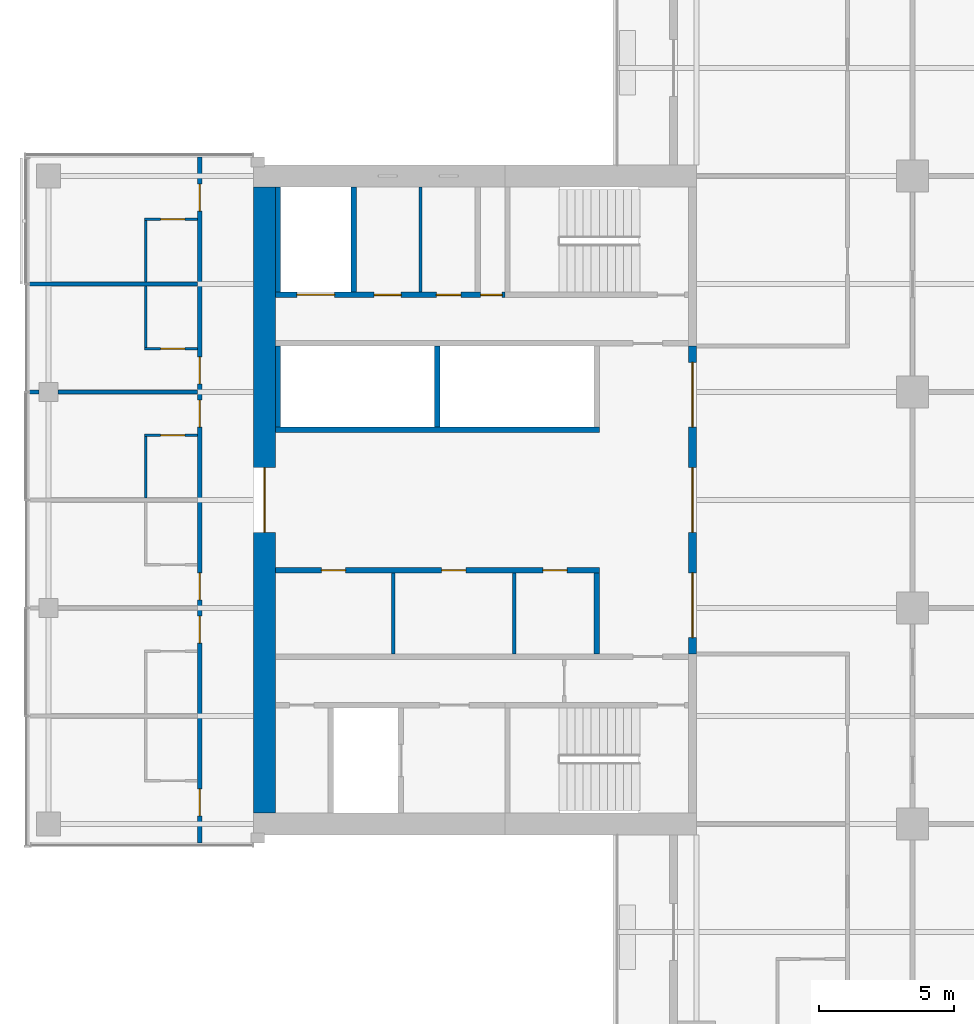
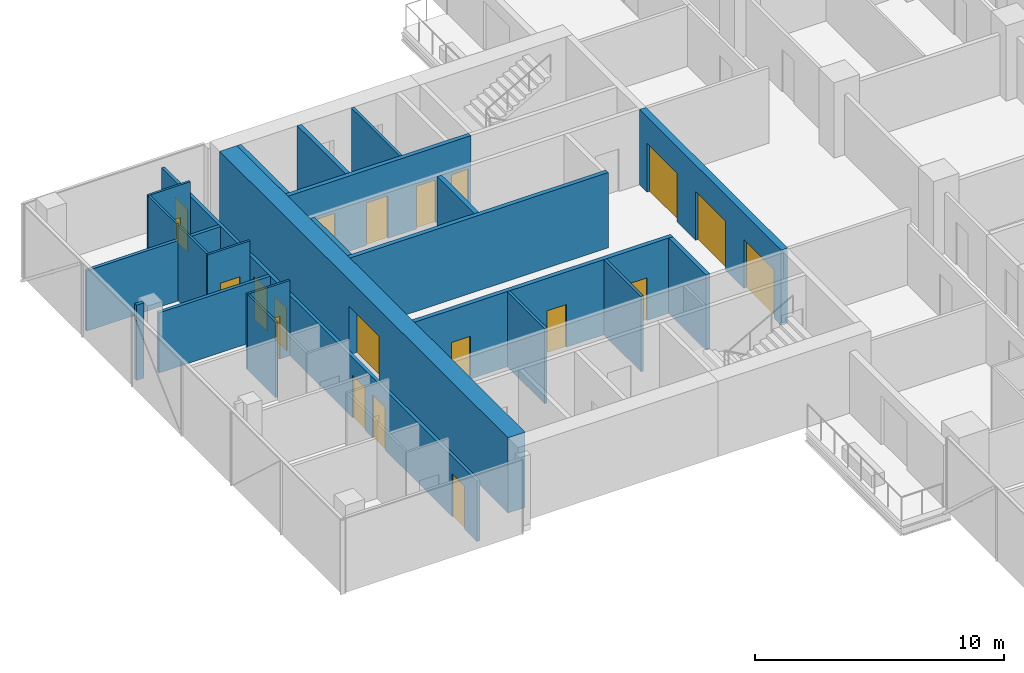
# One storey, part 18 of 27: 23 walls, 20 doors, 20 openings.
"""IFC4 building model written with IfcOpenShell, lengths in metres."""

from ifc_helpers import new_model, si_unit, direction, frame, frame_2d, origin, place, context, subcontext, project, spatial, rectangle, extrude, material, layer, layer_set, type_object, element, fill, save


model = new_model("IFC4")

# Units and contexts
model_context = context("Model", 3, precision=1e-05, world=origin(), true_north=direction((0.0, 1.0)))
body_context = subcontext(model_context, "Body", "Model", "MODEL_VIEW")
ifc_project = project(units=[si_unit("LENGTHUNIT", "METRE"), si_unit("AREAUNIT", "SQUARE_METRE"), si_unit("VOLUMEUNIT", "CUBIC_METRE"), si_unit("PLANEANGLEUNIT", "RADIAN"), si_unit("MASSUNIT", "GRAM", prefix="KILO")], contexts=[model_context])

# Site, building, storey
site_placement = place(None, origin())
site = spatial("IfcSite", under=ifc_project, at=site_placement, CompositionType="ELEMENT")
building_placement = place(site_placement, origin())
building = spatial("IfcBuilding", under=site, at=building_placement, Name="Crosswind Convention Tower", CompositionType="ELEMENT")
storey_placement = place(building_placement, frame((0.0, 0.0, 64.60009765625)))
storey = spatial("IfcBuildingStorey", under=building, at=storey_placement, Name="L10", CompositionType="ELEMENT", Elevation=64.60009765625)

# Wall, opening, door
ifc_material_1 = material(Name="Concrete C60/75", Category="concrete")
ifc_layer_1 = layer(ifc_material_1, 0.800048828125)
ifc_layer_set_1 = layer_set([ifc_layer_1], Name="Concrete C60/75")
wall_type_1 = type_object("IfcWallType", Name="Concrete core wall 800", PredefinedType="SHEAR", material=ifc_layer_set_1)
wall_1_placement = place(storey_placement, frame((97.0, 111.60009765625, 0.0), z_axis=(0.0, 0.0, 1.0), x_axis=(0.0, -1.0, 0.0)))
wall_1 = element("IfcWall", 1, at=wall_1_placement, inside=storey, type_object=wall_type_1, Name="Wall O W L10", PredefinedType="SHEAR", context=body_context, shape_type="SweptSolid", body=[
    extrude(rectangle(XDim=23.2001953125, YDim=0.800048828125, at=frame_2d((11.60009765625, 0.0))), origin(), (0.0, 0.0, 1.0), 3.699951171875),
])
opening_1_placement = place(wall_1_placement, frame((10.39990234375, 0.0, 0.0)))
opening_1 = element("IfcOpeningElement", 2, at=opening_1_placement, cuts=wall_1, Name="Opening D100", PredefinedType="OPENING", context=body_context, shape_type="SweptSolid", body=[
    extrude(rectangle(XDim=2.39990234375, YDim=2.39990234375, at=frame_2d((1.199951171875, 1.199951171875))), frame((0.0, 0.409912109375, 0.0), z_axis=(0.0, -1.0, 0.0), x_axis=(1.0, 0.0, 0.0)), (0.0, 0.0, 1.0), 0.820068359375),
])
ifc_material_2 = material(Name="Steel fire door with glazed vision panels", Category="steel")
door_type_1 = type_object("IfcDoorType", Name="Fire-rated double door 2400x2400", OperationType="DOUBLE_DOOR_SINGLE_SWING", PredefinedType="DOOR", material=ifc_material_2)
door_1_placement = place(opening_1_placement, origin())
door_1 = element("IfcDoor", 3, at=door_1_placement, inside=storey, type_object=door_type_1, Name="Lobby outer door L10", ObjectType="D100", OperationType="DOUBLE_DOOR_SINGLE_SWING", OverallHeight=2.39990234375, OverallWidth=2.39990234375, PredefinedType="DOOR", context=body_context, shape_type="SweptSolid", body=[
    extrude(rectangle(XDim=2.39990234375, YDim=2.39990234375, at=frame_2d((1.199951171875, 1.199951171875))), frame((0.0, 0.02490234375, 0.0), z_axis=(0.0, -1.0, 0.0), x_axis=(1.0, 0.0, 0.0)), (0.0, 0.0, 1.0), 0.050048828125),
])
fill(opening_1, door_1)

# Wall, openings, doors
ifc_material_3 = material(Name="Concrete C50/60", Category="concrete")
ifc_layer_2 = layer(ifc_material_3, 0.300048828125)
ifc_layer_set_2 = layer_set([ifc_layer_2], Name="Concrete C50/60")
wall_type_2 = type_object("IfcWallType", Name="Concrete inner core wall 300", PredefinedType="SHEAR", material=ifc_layer_set_2)
wall_2_placement = place(storey_placement, frame((112.85009765625, 105.699951171875, 0.0), z_axis=(0.0, 0.0, 1.0), x_axis=(0.0, -1.0, 0.0)))
wall_2 = element("IfcWall", 4, at=wall_2_placement, inside=storey, type_object=wall_type_2, Name="Wall SCR W L10", PredefinedType="SHEAR", context=body_context, shape_type="SweptSolid", body=[
    extrude(rectangle(XDim=11.39990234375, YDim=0.300048828125, at=frame_2d((5.699951171875, 0.0))), origin(), (0.0, 0.0, 1.0), 3.699951171875),
])
opening_2_placement = place(wall_2_placement, frame((0.60009765625, 0.0, 0.0)))
opening_2 = element("IfcOpeningElement", 5, at=opening_2_placement, cuts=wall_2, Name="Opening D100", PredefinedType="OPENING", context=body_context, shape_type="SweptSolid", body=[
    extrude(rectangle(XDim=2.39990234375, YDim=2.39990234375, at=frame_2d((1.199951171875, 1.199951171875))), frame((0.0, 0.159912109375, 0.0), z_axis=(0.0, -1.0, 0.0), x_axis=(1.0, 0.0, 0.0)), (0.0, 0.0, 1.0), 0.320068359375),
])
opening_3_placement = place(wall_2_placement, frame((4.5, 0.0, 0.0)))
opening_3 = element("IfcOpeningElement", 6, at=opening_3_placement, cuts=wall_2, Name="Opening D100", PredefinedType="OPENING", context=body_context, shape_type="SweptSolid", body=[
    extrude(rectangle(XDim=2.39990234375, YDim=2.39990234375, at=frame_2d((1.199951171875, 1.199951171875))), frame((0.0, 0.159912109375, 0.0), z_axis=(0.0, -1.0, 0.0), x_axis=(1.0, 0.0, 0.0)), (0.0, 0.0, 1.0), 0.320068359375),
])
opening_4_placement = place(wall_2_placement, frame((8.39990234375, 0.0, 0.0)))
opening_4 = element("IfcOpeningElement", 7, at=opening_4_placement, cuts=wall_2, Name="Opening D100", PredefinedType="OPENING", context=body_context, shape_type="SweptSolid", body=[
    extrude(rectangle(XDim=2.39990234375, YDim=2.39990234375, at=frame_2d((1.199951171875, 1.199951171875))), frame((0.0, 0.159912109375, 0.0), z_axis=(0.0, -1.0, 0.0), x_axis=(1.0, 0.0, 0.0)), (0.0, 0.0, 1.0), 0.320068359375),
])
door_2_placement = place(opening_2_placement, origin())
door_2 = element("IfcDoor", 8, at=door_2_placement, inside=storey, type_object=door_type_1, Name="Lobby door 1 L10", ObjectType="D100", OperationType="DOUBLE_DOOR_SINGLE_SWING", OverallHeight=2.39990234375, OverallWidth=2.39990234375, PredefinedType="DOOR", context=body_context, shape_type="SweptSolid", body=[
    extrude(rectangle(XDim=2.39990234375, YDim=2.39990234375, at=frame_2d((1.199951171875, 1.199951171875))), frame((0.0, 0.02490234375, 0.0), z_axis=(0.0, -1.0, 0.0), x_axis=(1.0, 0.0, 0.0)), (0.0, 0.0, 1.0), 0.050048828125),
])
fill(opening_2, door_2)
door_3_placement = place(opening_3_placement, origin())
door_3 = element("IfcDoor", 9, at=door_3_placement, inside=storey, type_object=door_type_1, Name="Lobby door 2 L10", ObjectType="D100", OperationType="DOUBLE_DOOR_SINGLE_SWING", OverallHeight=2.39990234375, OverallWidth=2.39990234375, PredefinedType="DOOR", context=body_context, shape_type="SweptSolid", body=[
    extrude(rectangle(XDim=2.39990234375, YDim=2.39990234375, at=frame_2d((1.199951171875, 1.199951171875))), frame((0.0, 0.02490234375, 0.0), z_axis=(0.0, -1.0, 0.0), x_axis=(1.0, 0.0, 0.0)), (0.0, 0.0, 1.0), 0.050048828125),
])
fill(opening_3, door_3)
door_4_placement = place(opening_4_placement, origin())
door_4 = element("IfcDoor", 10, at=door_4_placement, inside=storey, type_object=door_type_1, Name="Lobby door 3 L10", ObjectType="D100", OperationType="DOUBLE_DOOR_SINGLE_SWING", OverallHeight=2.39990234375, OverallWidth=2.39990234375, PredefinedType="DOOR", context=body_context, shape_type="SweptSolid", body=[
    extrude(rectangle(XDim=2.39990234375, YDim=2.39990234375, at=frame_2d((1.199951171875, 1.199951171875))), frame((0.0, 0.02490234375, 0.0), z_axis=(0.0, -1.0, 0.0), x_axis=(1.0, 0.0, 0.0)), (0.0, 0.0, 1.0), 0.050048828125),
])
fill(opening_4, door_4)

# Wall
ifc_layer_3 = layer(ifc_material_3, 0.199951171875)
ifc_layer_set_3 = layer_set([ifc_layer_3], Name="Concrete C50/60")
wall_type_3 = type_object("IfcWallType", Name="Concrete shaft and stair wall 200", PredefinedType="SHEAR", material=ifc_layer_set_3)
wall_3_placement = place(storey_placement, frame((109.300048828125, 97.300048828125, 0.0), z_axis=(0.0, 0.0, 1.0), x_axis=(0.0, -1.0, 0.0)))
element("IfcWall", 11, at=wall_3_placement, inside=storey, type_object=wall_type_3, Name="Wall RPEND W L10", PredefinedType="SHEAR", context=body_context, shape_type="SweptSolid", body=[
    extrude(rectangle(XDim=3.0, YDim=0.199951171875, at=frame_2d((1.5, 0.0))), origin(), (0.0, 0.0, 1.0), 3.699951171875),
])

# Wall, openings, doors
wall_4_placement = place(storey_placement, frame((109.39990234375, 97.39990234375, 0.0), z_axis=(0.0, 0.0, 1.0), x_axis=(-1.0, 0.0, 0.0)))
wall_4 = element("IfcWall", 12, at=wall_4_placement, inside=storey, type_object=wall_type_3, Name="Wall RPFRONT W L10", PredefinedType="SHEAR", context=body_context, shape_type="SweptSolid", body=[
    extrude(rectangle(XDim=12.0, YDim=0.199951171875, at=frame_2d((6.0, 0.0))), origin(), (0.0, 0.0, 1.0), 3.699951171875),
])
opening_5_placement = place(wall_4_placement, frame((1.19384765625, 0.0, 0.0)))
opening_5 = element("IfcOpeningElement", 13, at=opening_5_placement, cuts=wall_4, Name="Opening D106", PredefinedType="OPENING", context=body_context, shape_type="SweptSolid", body=[
    extrude(rectangle(XDim=0.89990234375, YDim=2.10009765625, at=frame_2d((0.449951171875, 1.050048828125))), frame((0.0, 0.10986328125, 0.0), z_axis=(0.0, -1.0, 0.0), x_axis=(1.0, 0.0, 0.0)), (0.0, 0.0, 1.0), 0.219970703125),
])
opening_6_placement = place(wall_4_placement, frame((4.94189453125, 0.0, 0.0)))
opening_6 = element("IfcOpeningElement", 14, at=opening_6_placement, cuts=wall_4, Name="Opening D106", PredefinedType="OPENING", context=body_context, shape_type="SweptSolid", body=[
    extrude(rectangle(XDim=0.89990234375, YDim=2.10009765625, at=frame_2d((0.449951171875, 1.050048828125))), frame((0.0, 0.10986328125, 0.0), z_axis=(0.0, -1.0, 0.0), x_axis=(1.0, 0.0, 0.0)), (0.0, 0.0, 1.0), 0.219970703125),
])
opening_7_placement = place(wall_4_placement, frame((9.398193359375, 0.0, 0.0)))
opening_7 = element("IfcOpeningElement", 15, at=opening_7_placement, cuts=wall_4, Name="Opening D106", PredefinedType="OPENING", context=body_context, shape_type="SweptSolid", body=[
    extrude(rectangle(XDim=0.89990234375, YDim=2.10009765625, at=frame_2d((0.449951171875, 1.050048828125))), frame((0.0, 0.10986328125, 0.0), z_axis=(0.0, -1.0, 0.0), x_axis=(1.0, 0.0, 0.0)), (0.0, 0.0, 1.0), 0.219970703125),
])
ifc_material_4 = material(Name="Timber door", Category="wood")
door_type_2 = type_object("IfcDoorType", Name="Single leaf door 900x2100", OperationType="NOTDEFINED", PredefinedType="DOOR", material=ifc_material_4)
door_5_placement = place(opening_5_placement, origin())
door_5 = element("IfcDoor", 16, at=door_5_placement, inside=storey, type_object=door_type_2, Name="Door to meeting room L10", ObjectType="D106", OperationType="SINGLE_SWING_RIGHT", OverallHeight=2.10009765625, OverallWidth=0.89990234375, PredefinedType="DOOR", context=body_context, shape_type="SweptSolid", body=[
    extrude(rectangle(XDim=0.89990234375, YDim=2.10009765625, at=frame_2d((0.449951171875, 1.050048828125))), frame((0.0, 0.02490234375, 0.0), z_axis=(0.0, -1.0, 0.0), x_axis=(1.0, 0.0, 0.0)), (0.0, 0.0, 1.0), 0.050048828125),
])
fill(opening_5, door_5)
door_6_placement = place(opening_6_placement, origin())
door_6 = element("IfcDoor", 17, at=door_6_placement, inside=storey, type_object=door_type_2, Name="Door to business centre L10", ObjectType="D106", OperationType="SINGLE_SWING_RIGHT", OverallHeight=2.10009765625, OverallWidth=0.89990234375, PredefinedType="DOOR", context=body_context, shape_type="SweptSolid", body=[
    extrude(rectangle(XDim=0.89990234375, YDim=2.10009765625, at=frame_2d((0.449951171875, 1.050048828125))), frame((0.0, 0.02490234375, 0.0), z_axis=(0.0, -1.0, 0.0), x_axis=(1.0, 0.0, 0.0)), (0.0, 0.0, 1.0), 0.050048828125),
])
fill(opening_6, door_6)
door_7_placement = place(opening_7_placement, origin())
door_7 = element("IfcDoor", 18, at=door_7_placement, inside=storey, type_object=door_type_2, Name="Door to ice and vending room L10", ObjectType="D106", OperationType="SINGLE_SWING_RIGHT", OverallHeight=2.10009765625, OverallWidth=0.89990234375, PredefinedType="DOOR", context=body_context, shape_type="SweptSolid", body=[
    extrude(rectangle(XDim=0.89990234375, YDim=2.10009765625, at=frame_2d((0.449951171875, 1.050048828125))), frame((0.0, 0.02490234375, 0.0), z_axis=(0.0, -1.0, 0.0), x_axis=(1.0, 0.0, 0.0)), (0.0, 0.0, 1.0), 0.050048828125),
])
fill(opening_7, door_7)

# Walls
for number, where, z_axis, x_axis, name in (
    (19, (103.39990234375, 105.699951171875, 0.0), (0.0, 0.0, 1.0), (0.0, -1.0, 0.0), "Wall RMSEP W L10"),
    (20, (97.5, 105.699951171875, 0.0), (0.0, 0.0, 1.0), (0.0, -1.0, 0.0), "Wall RMEAST W L10"),
):
    element("IfcWall", number, at=place(storey_placement, frame(where, z_axis=z_axis, x_axis=x_axis)), inside=storey, type_object=wall_type_3, Name=name, PredefinedType="SHEAR", context=body_context, shape_type="SweptSolid", body=[
        extrude(rectangle(XDim=3.0, YDim=0.199951171875, at=frame_2d((1.5, 0.0))), origin(), (0.0, 0.0, 1.0), 3.699951171875),
    ])
wall_5_placement = place(storey_placement, frame((109.39990234375, 102.60009765625, 0.0), z_axis=(0.0, 0.0, 1.0), x_axis=(-1.0, 0.0, 0.0)))
element("IfcWall", 21, at=wall_5_placement, inside=storey, type_object=wall_type_3, Name="Wall RMFRONT W L10", PredefinedType="SHEAR", context=body_context, shape_type="SweptSolid", body=[
    extrude(rectangle(XDim=12.0, YDim=0.199951171875, at=frame_2d((6.0, 0.0))), origin(), (0.0, 0.0, 1.0), 3.699951171875),
])
for number, where, z_axis, x_axis, name in (
    (22, (100.300048828125, 111.60009765625, 0.0), (0.0, 0.0, 1.0), (0.0, -1.0, 0.0), "Wall MFSW W L10"),
    (23, (97.5, 111.60009765625, 0.0), (0.0, 0.0, 1.0), (0.0, -1.0, 0.0), "Wall MFSE W L10"),
):
    element("IfcWall", number, at=place(storey_placement, frame(where, z_axis=z_axis, x_axis=x_axis)), inside=storey, type_object=wall_type_3, Name=name, PredefinedType="SHEAR", context=body_context, shape_type="SweptSolid", body=[
        extrude(rectangle(XDim=3.900146484375, YDim=0.199951171875, at=frame_2d((1.9501953125, 0.0))), origin(), (0.0, 0.0, 1.0), 3.699951171875),
    ])

# Wall, openings, doors
wall_6_placement = place(storey_placement, frame((105.89990234375, 107.60009765625, 0.0), z_axis=(0.0, 0.0, 1.0), x_axis=(-1.0, 0.0, 0.0)))
wall_6 = element("IfcWall", 24, at=wall_6_placement, inside=storey, type_object=wall_type_3, Name="Wall MCX W L10", PredefinedType="SHEAR", context=body_context, shape_type="SweptSolid", body=[
    extrude(rectangle(XDim=8.5, YDim=0.199951171875, at=frame_2d((4.25, 0.0))), origin(), (0.0, 0.0, 1.0), 3.699951171875),
])
opening_8_placement = place(wall_6_placement, frame((0.10009765625, 0.0, 0.0)))
opening_8 = element("IfcOpeningElement", 25, at=opening_8_placement, cuts=wall_6, Name="Opening D105", PredefinedType="OPENING", context=body_context, shape_type="SweptSolid", body=[
    extrude(rectangle(XDim=0.800048828125, YDim=2.10009765625, at=frame_2d((0.39990234375, 1.050048828125))), frame((0.0, 0.10986328125, 0.0), z_axis=(0.0, -1.0, 0.0), x_axis=(1.0, 0.0, 0.0)), (0.0, 0.0, 1.0), 0.219970703125),
])
opening_9_placement = place(wall_6_placement, frame((1.630859375, 0.0, 0.0)))
opening_9 = element("IfcOpeningElement", 26, at=opening_9_placement, cuts=wall_6, Name="Opening D106", PredefinedType="OPENING", context=body_context, shape_type="SweptSolid", body=[
    extrude(rectangle(XDim=0.89990234375, YDim=2.10009765625, at=frame_2d((0.449951171875, 1.050048828125))), frame((0.0, 0.10986328125, 0.0), z_axis=(0.0, -1.0, 0.0), x_axis=(1.0, 0.0, 0.0)), (0.0, 0.0, 1.0), 0.219970703125),
])
opening_10_placement = place(wall_6_placement, frame((3.84326171875, 0.0, 0.0)))
opening_10 = element("IfcOpeningElement", 27, at=opening_10_placement, cuts=wall_6, Name="Opening D103", PredefinedType="OPENING", context=body_context, shape_type="SweptSolid", body=[
    extrude(rectangle(XDim=1.0, YDim=2.10009765625, at=frame_2d((0.5, 1.050048828125))), frame((0.0, 0.10986328125, 0.0), z_axis=(0.0, -1.0, 0.0), x_axis=(1.0, 0.0, 0.0)), (0.0, 0.0, 1.0), 0.219970703125),
])
opening_11_placement = place(wall_6_placement, frame((6.300048828125, 0.0, 0.0)))
opening_11 = element("IfcOpeningElement", 28, at=opening_11_placement, cuts=wall_6, Name="Opening LD2", PredefinedType="OPENING", context=body_context, shape_type="SweptSolid", body=[
    extrude(rectangle(XDim=1.39990234375, YDim=2.10009765625, at=frame_2d((0.699951171875, 1.050048828125))), frame((0.0, 0.10986328125, 0.0), z_axis=(0.0, -1.0, 0.0), x_axis=(1.0, 0.0, 0.0)), (0.0, 0.0, 1.0), 0.219970703125),
])
ifc_material_5 = material(Name="Steel fire door", Category="steel")
door_type_3 = type_object("IfcDoorType", Name="Fire-rated single door 1000x2100", OperationType="NOTDEFINED", PredefinedType="DOOR", material=ifc_material_5)
door_8_placement = place(opening_10_placement, frame((1.0, 0.0, 0.0), z_axis=(0.0, 0.0, 1.0), x_axis=(-1.0, 0.0, 0.0)))
door_8 = element("IfcDoor", 29, at=door_8_placement, inside=storey, type_object=door_type_3, Name="Door to accessible wc L10", ObjectType="D103", OperationType="SINGLE_SWING_LEFT", OverallHeight=2.10009765625, OverallWidth=1.0, PredefinedType="DOOR", context=body_context, shape_type="SweptSolid", body=[
    extrude(rectangle(XDim=1.0, YDim=2.10009765625, at=frame_2d((0.5, 1.050048828125))), frame((0.0, 0.02490234375, 0.0), z_axis=(0.0, -1.0, 0.0), x_axis=(1.0, 0.0, 0.0)), (0.0, 0.0, 1.0), 0.050048828125),
])
fill(opening_10, door_8)
ifc_material_6 = material(Name="Stainless steel", Category="steel")
door_type_4 = type_object("IfcDoorType", Name="Lift landing door 1400x2100", OperationType="DOUBLE_DOOR_SLIDING", PredefinedType="DOOR", material=ifc_material_6)
door_9_placement = place(opening_11_placement, origin())
door_9 = element("IfcDoor", 30, at=door_9_placement, inside=storey, type_object=door_type_4, Name="Landing door SV2 L10", ObjectType="LD2", OperationType="DOUBLE_DOOR_SLIDING", OverallHeight=2.10009765625, OverallWidth=1.39990234375, PredefinedType="DOOR", context=body_context, shape_type="SweptSolid", body=[
    extrude(rectangle(XDim=1.39990234375, YDim=2.10009765625, at=frame_2d((0.699951171875, 1.050048828125))), frame((0.0, 0.02490234375, 0.0), z_axis=(0.0, -1.0, 0.0), x_axis=(1.0, 0.0, 0.0)), (0.0, 0.0, 1.0), 0.050048828125),
])
fill(opening_11, door_9)
door_type_5 = type_object("IfcDoorType", Name="Riser access door 800x2100", OperationType="NOTDEFINED", PredefinedType="DOOR", material=ifc_material_5)
door_10_placement = place(opening_8_placement, frame((0.800048828125, 0.0, 0.0), z_axis=(0.0, 0.0, 1.0), x_axis=(-1.0, 0.0, 0.0)))
door_10 = element("IfcDoor", 31, at=door_10_placement, inside=storey, type_object=door_type_5, Name="Riser door L10", ObjectType="D105", OperationType="SINGLE_SWING_LEFT", OverallHeight=2.10009765625, OverallWidth=0.800048828125, PredefinedType="DOOR", context=body_context, shape_type="SweptSolid", body=[
    extrude(rectangle(XDim=0.800048828125, YDim=2.10009765625, at=frame_2d((0.39990234375, 1.050048828125))), frame((0.0, 0.02490234375, 0.0), z_axis=(0.0, -1.0, 0.0), x_axis=(1.0, 0.0, 0.0)), (0.0, 0.0, 1.0), 0.050048828125),
])
fill(opening_8, door_10)
door_11_placement = place(opening_9_placement, frame((0.89990234375, 0.0, 0.0), z_axis=(0.0, 0.0, 1.0), x_axis=(-1.0, 0.0, 0.0)))
door_11 = element("IfcDoor", 32, at=door_11_placement, inside=storey, type_object=door_type_2, Name="Door to wc L10", ObjectType="D106", OperationType="SINGLE_SWING_LEFT", OverallHeight=2.10009765625, OverallWidth=0.89990234375, PredefinedType="DOOR", context=body_context, shape_type="SweptSolid", body=[
    extrude(rectangle(XDim=0.89990234375, YDim=2.10009765625, at=frame_2d((0.449951171875, 1.050048828125))), frame((0.0, 0.02490234375, 0.0), z_axis=(0.0, -1.0, 0.0), x_axis=(1.0, 0.0, 0.0)), (0.0, 0.0, 1.0), 0.050048828125),
])
fill(opening_9, door_11)

# Walls
ifc_material_7 = material(Name="Gypsum plasterboard partition", Category="gypsum")
ifc_layer_4 = layer(ifc_material_7, 0.125)
ifc_layer_set_4 = layer_set([ifc_layer_4], Name="Drywall partition wall 125")
wall_type_4 = type_object("IfcWallType", Name="Drywall partition wall 125", PredefinedType="PARTITIONING", material=ifc_layer_set_4)
for number, where, z_axis, x_axis, name in (
    (33, (106.25, 97.300048828125, 0.0), (0.0, 0.0, 1.0), (0.0, -1.0, 0.0), "Wall RPP1 W L10"),
    (34, (101.76611328125, 97.300048828125, 0.0), (0.0, 0.0, 1.0), (0.0, -1.0, 0.0), "Wall RPP2 W L10"),
):
    element("IfcWall", number, at=place(storey_placement, frame(where, z_axis=z_axis, x_axis=x_axis)), inside=storey, type_object=wall_type_4, Name=name, PredefinedType="PARTITIONING", context=body_context, shape_type="SweptSolid", body=[
        extrude(rectangle(XDim=3.0, YDim=0.125, at=frame_2d((1.5, 0.0))), origin(), (0.0, 0.0, 1.0), 3.699951171875),
    ])
wall_7_placement = place(storey_placement, frame((102.77587890625, 111.60009765625, 0.0), z_axis=(0.0, 0.0, 1.0), x_axis=(0.0, -1.0, 0.0)))
element("IfcWall", 35, at=wall_7_placement, inside=storey, type_object=wall_type_4, Name="Wall MWP1 W L10", PredefinedType="PARTITIONING", context=body_context, shape_type="SweptSolid", body=[
    extrude(rectangle(XDim=3.900146484375, YDim=0.125, at=frame_2d((1.9501953125, 0.0))), origin(), (0.0, 0.0, 1.0), 3.699951171875),
])
ifc_material_8 = material(Name="Acoustic plasterboard partition", Category="gypsum")
ifc_layer_5 = layer(ifc_material_8, 0.14990234375)
ifc_layer_set_5 = layer_set([ifc_layer_5], Name="GUEST ROOM WALL 150")
wall_type_5 = type_object("IfcWallType", Name="GUEST ROOM WALL 150", PredefinedType="PARTITIONING", material=ifc_layer_set_5)
wall_8_placement = place(storey_placement, frame((88.300048828125, 104.0, 0.0), z_axis=(0.0, 0.0, 1.0), x_axis=(1.0, 0.0, 0.0)))
element("IfcWall", 36, at=wall_8_placement, inside=storey, type_object=wall_type_5, Name="Guest Room Wall 38", PredefinedType="PARTITIONING", context=body_context, shape_type="SweptSolid", body=[
    extrude(rectangle(XDim=0.349853515625, YDim=0.14990234375, at=frame_2d((0.1748046875, 0.0))), origin(), (0.0, 0.0, 1.0), 3.699951171875),
])
wall_9_placement = place(storey_placement, frame((89.35009765625, 104.0, 0.0), z_axis=(0.0, 0.0, 1.0), x_axis=(1.0, 0.0, 0.0)))
element("IfcWall", 37, at=wall_9_placement, inside=storey, type_object=wall_type_5, Name="Guest Room Wall 39", PredefinedType="PARTITIONING", context=body_context, shape_type="SweptSolid", body=[
    extrude(rectangle(XDim=5.1748046875, YDim=0.14990234375, at=frame_2d((2.58740234375, 0.0))), origin(), (0.0, 0.0, 1.0), 2.956298828125),
])
wall_10_placement = place(storey_placement, frame((88.300048828125, 108.0, 0.0), z_axis=(0.0, 0.0, 1.0), x_axis=(1.0, 0.0, 0.0)))
element("IfcWall", 38, at=wall_10_placement, inside=storey, type_object=wall_type_5, Name="Guest Room Wall 47", PredefinedType="PARTITIONING", context=body_context, shape_type="SweptSolid", body=[
    extrude(rectangle(XDim=6.224853515625, YDim=0.14990234375, at=frame_2d((3.1123046875, 0.0))), origin(), (0.0, 0.0, 1.0), 2.962646484375),
])

# Wall, openings, doors
wall_11_placement = place(storey_placement, frame((94.60009765625, 87.300048828125, 0.0), z_axis=(0.0, 0.0, 1.0), x_axis=(0.0, 1.0, 0.0)))
wall_11 = element("IfcWall", 39, at=wall_11_placement, inside=storey, type_object=wall_type_5, Name="Guest Room Wall 74", PredefinedType="PARTITIONING", context=body_context, shape_type="SweptSolid", body=[
    extrude(rectangle(XDim=25.39990234375, YDim=0.14990234375, at=frame_2d((12.699951171875, 0.0))), origin(), (0.0, 0.0, 1.0), 2.956298828125),
])
opening_12_placement = place(wall_11_placement, frame((1.0, 0.0, 0.0)))
opening_12 = element("IfcOpeningElement", 40, at=opening_12_placement, cuts=wall_11, Name="Opening 10.045", PredefinedType="OPENING", context=body_context, shape_type="SweptSolid", body=[
    extrude(rectangle(XDim=1.0, YDim=2.10009765625, at=frame_2d((0.5, 1.050048828125))), frame((0.0, 0.0849609375, 0.0), z_axis=(0.0, -1.0, 0.0), x_axis=(1.0, 0.0, 0.0)), (0.0, 0.0, 1.0), 0.169921875),
])
opening_13_placement = place(wall_11_placement, frame((7.39990234375, 0.0, 0.0)))
opening_13 = element("IfcOpeningElement", 41, at=opening_13_placement, cuts=wall_11, Name="Opening 10.047", PredefinedType="OPENING", context=body_context, shape_type="SweptSolid", body=[
    extrude(rectangle(XDim=1.0, YDim=2.10009765625, at=frame_2d((0.5, 1.050048828125))), frame((0.0, 0.0849609375, 0.0), z_axis=(0.0, -1.0, 0.0), x_axis=(1.0, 0.0, 0.0)), (0.0, 0.0, 1.0), 0.169921875),
])
opening_14_placement = place(wall_11_placement, frame((9.0, 0.0, 0.0)))
opening_14 = element("IfcOpeningElement", 42, at=opening_14_placement, cuts=wall_11, Name="Opening 10.049", PredefinedType="OPENING", context=body_context, shape_type="SweptSolid", body=[
    extrude(rectangle(XDim=1.0, YDim=2.10009765625, at=frame_2d((0.5, 1.050048828125))), frame((0.0, 0.0849609375, 0.0), z_axis=(0.0, -1.0, 0.0), x_axis=(1.0, 0.0, 0.0)), (0.0, 0.0, 1.0), 0.169921875),
])
opening_15_placement = place(wall_11_placement, frame((15.39990234375, 0.0, 0.0)))
opening_15 = element("IfcOpeningElement", 43, at=opening_15_placement, cuts=wall_11, Name="Opening 10.051", PredefinedType="OPENING", context=body_context, shape_type="SweptSolid", body=[
    extrude(rectangle(XDim=1.0, YDim=2.10009765625, at=frame_2d((0.5, 1.050048828125))), frame((0.0, 0.0849609375, 0.0), z_axis=(0.0, -1.0, 0.0), x_axis=(1.0, 0.0, 0.0)), (0.0, 0.0, 1.0), 0.169921875),
])
opening_16_placement = place(wall_11_placement, frame((17.0, 0.0, 0.0)))
opening_16 = element("IfcOpeningElement", 44, at=opening_16_placement, cuts=wall_11, Name="Opening 10.053", PredefinedType="OPENING", context=body_context, shape_type="SweptSolid", body=[
    extrude(rectangle(XDim=1.0, YDim=2.10009765625, at=frame_2d((0.5, 1.050048828125))), frame((0.0, 0.0849609375, 0.0), z_axis=(0.0, -1.0, 0.0), x_axis=(1.0, 0.0, 0.0)), (0.0, 0.0, 1.0), 0.169921875),
])
opening_17_placement = place(wall_11_placement, frame((23.39990234375, 0.0, 0.0)))
opening_17 = element("IfcOpeningElement", 45, at=opening_17_placement, cuts=wall_11, Name="Opening 10.055", PredefinedType="OPENING", context=body_context, shape_type="SweptSolid", body=[
    extrude(rectangle(XDim=1.0, YDim=2.10009765625, at=frame_2d((0.5, 1.050048828125))), frame((0.0, 0.0849609375, 0.0), z_axis=(0.0, -1.0, 0.0), x_axis=(1.0, 0.0, 0.0)), (0.0, 0.0, 1.0), 0.169921875),
])
ifc_material_9 = material(Name="Timber fire door", Category="wood")
door_type_6 = type_object("IfcDoorType", Name="GUEST ROOM DOOR 1000X2100", OperationType="NOTDEFINED", PredefinedType="DOOR", material=ifc_material_9)
door_12_placement = place(opening_12_placement, origin())
door_12 = element("IfcDoor", 46, at=door_12_placement, inside=storey, type_object=door_type_6, Name="Door 10.045", ObjectType="D1", OperationType="SINGLE_SWING_RIGHT", OverallHeight=2.10009765625, OverallWidth=1.0, PredefinedType="DOOR", context=body_context, shape_type="SweptSolid", body=[
    extrude(rectangle(XDim=1.0, YDim=2.10009765625, at=frame_2d((0.5, 1.050048828125))), frame((0.0, 0.02490234375, 0.0), z_axis=(0.0, -1.0, 0.0), x_axis=(1.0, 0.0, 0.0)), (0.0, 0.0, 1.0), 0.050048828125),
])
fill(opening_12, door_12)
door_13_placement = place(opening_13_placement, origin())
door_13 = element("IfcDoor", 47, at=door_13_placement, inside=storey, type_object=door_type_6, Name="Door 10.047", ObjectType="D1", OperationType="SINGLE_SWING_RIGHT", OverallHeight=2.10009765625, OverallWidth=1.0, PredefinedType="DOOR", context=body_context, shape_type="SweptSolid", body=[
    extrude(rectangle(XDim=1.0, YDim=2.10009765625, at=frame_2d((0.5, 1.050048828125))), frame((0.0, 0.02490234375, 0.0), z_axis=(0.0, -1.0, 0.0), x_axis=(1.0, 0.0, 0.0)), (0.0, 0.0, 1.0), 0.050048828125),
])
fill(opening_13, door_13)
door_14_placement = place(opening_14_placement, origin())
door_14 = element("IfcDoor", 48, at=door_14_placement, inside=storey, type_object=door_type_6, Name="Door 10.049", ObjectType="D1", OperationType="SINGLE_SWING_RIGHT", OverallHeight=2.10009765625, OverallWidth=1.0, PredefinedType="DOOR", context=body_context, shape_type="SweptSolid", body=[
    extrude(rectangle(XDim=1.0, YDim=2.10009765625, at=frame_2d((0.5, 1.050048828125))), frame((0.0, 0.02490234375, 0.0), z_axis=(0.0, -1.0, 0.0), x_axis=(1.0, 0.0, 0.0)), (0.0, 0.0, 1.0), 0.050048828125),
])
fill(opening_14, door_14)
door_15_placement = place(opening_15_placement, origin())
door_15 = element("IfcDoor", 49, at=door_15_placement, inside=storey, type_object=door_type_6, Name="Door 10.051", ObjectType="D1", OperationType="SINGLE_SWING_RIGHT", OverallHeight=2.10009765625, OverallWidth=1.0, PredefinedType="DOOR", context=body_context, shape_type="SweptSolid", body=[
    extrude(rectangle(XDim=1.0, YDim=2.10009765625, at=frame_2d((0.5, 1.050048828125))), frame((0.0, 0.02490234375, 0.0), z_axis=(0.0, -1.0, 0.0), x_axis=(1.0, 0.0, 0.0)), (0.0, 0.0, 1.0), 0.050048828125),
])
fill(opening_15, door_15)
door_16_placement = place(opening_16_placement, origin())
door_16 = element("IfcDoor", 50, at=door_16_placement, inside=storey, type_object=door_type_6, Name="Door 10.053", ObjectType="D1", OperationType="SINGLE_SWING_RIGHT", OverallHeight=2.10009765625, OverallWidth=1.0, PredefinedType="DOOR", context=body_context, shape_type="SweptSolid", body=[
    extrude(rectangle(XDim=1.0, YDim=2.10009765625, at=frame_2d((0.5, 1.050048828125))), frame((0.0, 0.02490234375, 0.0), z_axis=(0.0, -1.0, 0.0), x_axis=(1.0, 0.0, 0.0)), (0.0, 0.0, 1.0), 0.050048828125),
])
fill(opening_16, door_16)
door_17_placement = place(opening_17_placement, origin())
door_17 = element("IfcDoor", 51, at=door_17_placement, inside=storey, type_object=door_type_6, Name="Door 10.055", ObjectType="D1", OperationType="SINGLE_SWING_LEFT", OverallHeight=2.10009765625, OverallWidth=1.0, PredefinedType="DOOR", context=body_context, shape_type="SweptSolid", body=[
    extrude(rectangle(XDim=1.0, YDim=2.10009765625, at=frame_2d((0.5, 1.050048828125))), frame((0.0, 0.02490234375, 0.0), z_axis=(0.0, -1.0, 0.0), x_axis=(1.0, 0.0, 0.0)), (0.0, 0.0, 1.0), 0.050048828125),
])
fill(opening_17, door_17)

# Wall, opening, door
ifc_material_10 = material(Name="Water-resistant plasterboard partition", Category="gypsum")
ifc_layer_6 = layer(ifc_material_10, 0.10009765625)
ifc_layer_set_6 = layer_set([ifc_layer_6], Name="WET ROOM PARTITION 100")
wall_type_6 = type_object("IfcWallType", Name="WET ROOM PARTITION 100", PredefinedType="PLUMBINGWALL", material=ifc_layer_set_6)
wall_12_placement = place(storey_placement, frame((92.550048828125, 102.39990234375, 0.0), z_axis=(0.0, 0.0, 1.0), x_axis=(1.0, 0.0, 0.0)))
wall_12 = element("IfcWall", 52, at=wall_12_placement, inside=storey, type_object=wall_type_6, Name="Wet Room Partition 37", PredefinedType="PLUMBINGWALL", context=body_context, shape_type="SweptSolid", body=[
    extrude(rectangle(XDim=1.974853515625, YDim=0.10009765625, at=frame_2d((0.9873046875, 0.0))), origin(), (0.0, 0.0, 1.0), 3.699951171875),
])
opening_18_placement = place(wall_12_placement, frame((0.60009765625, 0.0, 0.0)))
opening_18 = element("IfcOpeningElement", 53, at=opening_18_placement, cuts=wall_12, Name="Opening 10.052", PredefinedType="OPENING", context=body_context, shape_type="SweptSolid", body=[
    extrude(rectangle(XDim=0.89990234375, YDim=2.10009765625, at=frame_2d((0.449951171875, 1.050048828125))), frame((0.0, 0.06005859375, 0.0), z_axis=(0.0, -1.0, 0.0), x_axis=(1.0, 0.0, 0.0)), (0.0, 0.0, 1.0), 0.1201171875),
])
door_type_7 = type_object("IfcDoorType", Name="EN-SUITE DOOR 900X2100", OperationType="NOTDEFINED", PredefinedType="DOOR", material=ifc_material_4)
door_18_placement = place(opening_18_placement, frame((0.89990234375, 0.0, 0.0), z_axis=(0.0, 0.0, 1.0), x_axis=(-1.0, 0.0, 0.0)))
door_18 = element("IfcDoor", 54, at=door_18_placement, inside=storey, type_object=door_type_7, Name="Door 10.052", ObjectType="D2", OperationType="SINGLE_SWING_LEFT", OverallHeight=2.10009765625, OverallWidth=0.89990234375, PredefinedType="DOOR", context=body_context, shape_type="SweptSolid", body=[
    extrude(rectangle(XDim=0.89990234375, YDim=2.10009765625, at=frame_2d((0.449951171875, 1.050048828125))), frame((0.0, 0.02490234375, 0.0), z_axis=(0.0, -1.0, 0.0), x_axis=(1.0, 0.0, 0.0)), (0.0, 0.0, 1.0), 0.050048828125),
])
fill(opening_18, door_18)

wall_13_placement = place(storey_placement, frame((92.550048828125, 105.60009765625, 0.0), z_axis=(0.0, 0.0, 1.0), x_axis=(1.0, 0.0, 0.0)))
wall_13 = element("IfcWall", 55, at=wall_13_placement, inside=storey, type_object=wall_type_6, Name="Wet Room Partition 43", PredefinedType="PLUMBINGWALL", context=body_context, shape_type="SweptSolid", body=[
    extrude(rectangle(XDim=1.974853515625, YDim=0.10009765625, at=frame_2d((0.9873046875, 0.0))), origin(), (0.0, 0.0, 1.0), 3.699951171875),
])
opening_19_placement = place(wall_13_placement, frame((0.60009765625, 0.0, 0.0)))
opening_19 = element("IfcOpeningElement", 56, at=opening_19_placement, cuts=wall_13, Name="Opening 10.054", PredefinedType="OPENING", context=body_context, shape_type="SweptSolid", body=[
    extrude(rectangle(XDim=0.89990234375, YDim=2.10009765625, at=frame_2d((0.449951171875, 1.050048828125))), frame((0.0, 0.06005859375, 0.0), z_axis=(0.0, -1.0, 0.0), x_axis=(1.0, 0.0, 0.0)), (0.0, 0.0, 1.0), 0.1201171875),
])
door_19_placement = place(opening_19_placement, origin())
door_19 = element("IfcDoor", 57, at=door_19_placement, inside=storey, type_object=door_type_7, Name="Door 10.054", ObjectType="D2", OperationType="SINGLE_SWING_RIGHT", OverallHeight=2.10009765625, OverallWidth=0.89990234375, PredefinedType="DOOR", context=body_context, shape_type="SweptSolid", body=[
    extrude(rectangle(XDim=0.89990234375, YDim=2.10009765625, at=frame_2d((0.449951171875, 1.050048828125))), frame((0.0, 0.02490234375, 0.0), z_axis=(0.0, -1.0, 0.0), x_axis=(1.0, 0.0, 0.0)), (0.0, 0.0, 1.0), 0.050048828125),
])
fill(opening_19, door_19)

wall_14_placement = place(storey_placement, frame((92.550048828125, 110.39990234375, 0.0), z_axis=(0.0, 0.0, 1.0), x_axis=(1.0, 0.0, 0.0)))
wall_14 = element("IfcWall", 58, at=wall_14_placement, inside=storey, type_object=wall_type_6, Name="Wet Room Partition 50", PredefinedType="PLUMBINGWALL", context=body_context, shape_type="SweptSolid", body=[
    extrude(rectangle(XDim=1.974853515625, YDim=0.10009765625, at=frame_2d((0.9873046875, 0.0))), origin(), (0.0, 0.0, 1.0), 3.699951171875),
])
opening_20_placement = place(wall_14_placement, frame((0.60009765625, 0.0, 0.0)))
opening_20 = element("IfcOpeningElement", 59, at=opening_20_placement, cuts=wall_14, Name="Opening 10.056", PredefinedType="OPENING", context=body_context, shape_type="SweptSolid", body=[
    extrude(rectangle(XDim=0.89990234375, YDim=2.10009765625, at=frame_2d((0.449951171875, 1.050048828125))), frame((0.0, 0.06005859375, 0.0), z_axis=(0.0, -1.0, 0.0), x_axis=(1.0, 0.0, 0.0)), (0.0, 0.0, 1.0), 0.1201171875),
])
door_20_placement = place(opening_20_placement, frame((0.89990234375, 0.0, 0.0), z_axis=(0.0, 0.0, 1.0), x_axis=(-1.0, 0.0, 0.0)))
door_20 = element("IfcDoor", 60, at=door_20_placement, inside=storey, type_object=door_type_7, Name="Door 10.056", ObjectType="D2", OperationType="SINGLE_SWING_LEFT", OverallHeight=2.10009765625, OverallWidth=0.89990234375, PredefinedType="DOOR", context=body_context, shape_type="SweptSolid", body=[
    extrude(rectangle(XDim=0.89990234375, YDim=2.10009765625, at=frame_2d((0.449951171875, 1.050048828125))), frame((0.0, 0.02490234375, 0.0), z_axis=(0.0, -1.0, 0.0), x_axis=(1.0, 0.0, 0.0)), (0.0, 0.0, 1.0), 0.050048828125),
])
fill(opening_20, door_20)

# Walls
for number, where, z_axis, x_axis, name in (
    (61, (92.60009765625, 100.074951171875, 0.0), (0.0, 0.0, 1.0), (0.0, 1.0, 0.0), "Wet Room Partition 71"),
    (62, (92.60009765625, 105.64990234375, 0.0), (0.0, 0.0, 1.0), (0.0, 1.0, 0.0), "Wet Room Partition 72"),
    (63, (92.60009765625, 108.074951171875, 0.0), (0.0, 0.0, 1.0), (0.0, 1.0, 0.0), "Wet Room Partition 73"),
):
    element("IfcWall", number, at=place(storey_placement, frame(where, z_axis=z_axis, x_axis=x_axis)), inside=storey, type_object=wall_type_6, Name=name, PredefinedType="PLUMBINGWALL", context=body_context, shape_type="SweptSolid", body=[
        extrude(rectangle(XDim=2.275146484375, YDim=0.10009765625, at=frame_2d((1.1376953125, 0.0))), origin(), (0.0, 0.0, 1.0), 3.699951171875),
    ])

save(model, "model.ifc")
